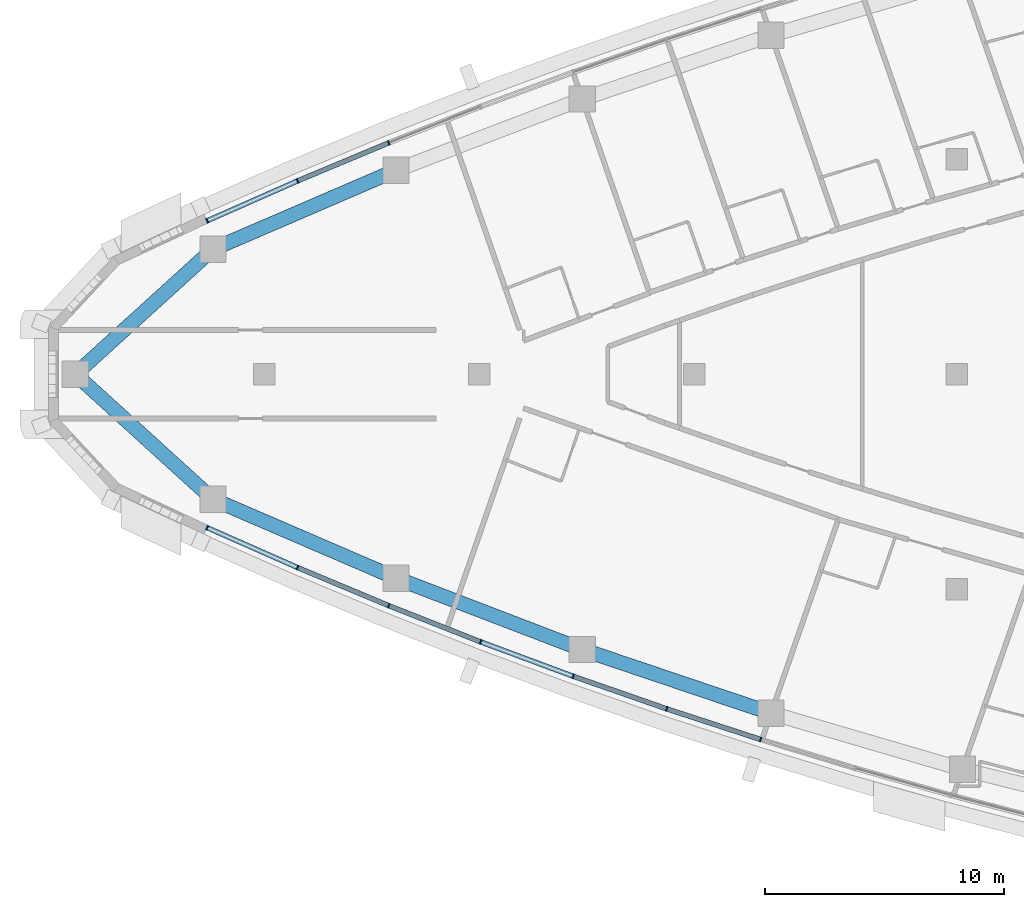
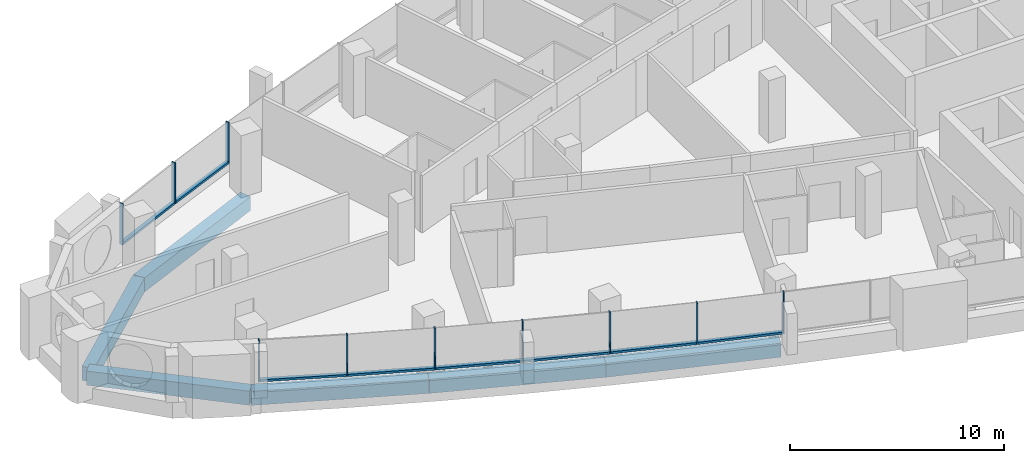
# One storey, part 2 of 14: 18 members, 6 beams, 5 elements without a shape of their own.
"""IFC4 building model written with IfcOpenShell, lengths in metres."""

from ifc_helpers import new_model, si_unit, direction, frame, origin, origin_2d, place, context, subcontext, project, spatial, rectangle, extrude, material, layer, layer_set, material_profile, profile_set, type_object, element, aggregate, save


model = new_model("IFC4")

# Units and contexts
model_context = context("Model", 3, precision=1e-05, world=origin(), true_north=direction((0.0, 1.0)))
body_context = subcontext(model_context, "Body", "Model", "MODEL_VIEW")
ifc_project = project(units=[si_unit("LENGTHUNIT", "METRE"), si_unit("AREAUNIT", "SQUARE_METRE"), si_unit("VOLUMEUNIT", "CUBIC_METRE"), si_unit("PLANEANGLEUNIT", "RADIAN"), si_unit("MASSUNIT", "GRAM", prefix="KILO")], contexts=[model_context])

# Site, building, storey
site_placement = place(None, origin())
site = spatial("IfcSite", under=ifc_project, at=site_placement, CompositionType="ELEMENT")
building_placement = place(site_placement, origin())
building = spatial("IfcBuilding", under=site, at=building_placement, Name="Ostrand Prow Hotel Tower", CompositionType="ELEMENT")
storey_placement = place(building_placement, frame((0.0, 0.0, 289.199951171875)))
storey = spatial("IfcBuildingStorey", under=building, at=storey_placement, Name="L73", CompositionType="ELEMENT", Elevation=289.199951171875)

# Beams
ifc_material_1 = material(Name="Concrete C50/60", Category="concrete")
ifc_material_profile_1 = material_profile(ifc_material_1, rectangle(XDim=0.60009765625, YDim=0.800048828125, at=origin_2d()), Name="RC 600x800")
ifc_profile_set_1 = profile_set([ifc_material_profile_1], Name="Concrete C50/60")
beam_type = type_object("IfcBeamType", Name="Edge beam 600x800 C50/60", PredefinedType="SPANDREL", material=ifc_profile_set_1)
beam_1_placement = place(storey_placement, frame((8.082763671875, 0.0, -0.699951171875), z_axis=(0.740124460758, -0.672469912032, 0.0), x_axis=(0.672469912032, 0.740124460758, 0.0)))
element("IfcBeam", 1, at=beam_1_placement, inside=storey, type_object=beam_type, Name="Edge beam P-S1", PredefinedType="SPANDREL", context=body_context, shape_type="SweptSolid", body=[
    extrude(rectangle(XDim=0.60009765625, YDim=0.800048828125, at=origin_2d()), origin(), (0.0, 0.0, 1.0), 7.787353515625),
])
for number, where, z_axis, x_axis, name in (
    (2, (13.846435546875, -5.23681640625, -0.699951171875), (0.918403788687, -0.39564438695, 0.0), (0.39564438695, 0.918403788687, 0.0), "Edge beam S1-S2"),
    (3, (21.51416015625, -8.5400390625, -0.699951171875), (0.933761753797, -0.357895218111, 0.0), (0.357895218111, 0.933761753797, 0.0), "Edge beam S2-S3"),
    (4, (29.31005859375, -11.528076171875, -0.699951171875), (0.947575089419, -0.319533174981, 0.0), (0.319533174981, 0.947575089419, 0.0), "Edge beam S3-S4"),
    (5, (21.51416015625, 8.5400390625, -0.699951171875), (-0.918403788687, -0.39564438695, 0.0), (0.39564438695, -0.918403788687, 0.0), "Edge beam N5-N6"),
):
    element("IfcBeam", number, at=place(storey_placement, frame(where, z_axis=z_axis, x_axis=x_axis)), inside=storey, type_object=beam_type, Name=name, PredefinedType="SPANDREL", context=body_context, shape_type="SweptSolid", body=[
        extrude(rectangle(XDim=0.60009765625, YDim=0.800048828125, at=origin_2d()), origin(), (0.0, 0.0, 1.0), 8.348876953125),
    ])
beam_2_placement = place(storey_placement, frame((13.846435546875, 5.23681640625, -0.699951171875), z_axis=(-0.740124460758, -0.672469912032, 0.0), x_axis=(0.672469912032, -0.740124460758, 0.0)))
element("IfcBeam", 6, at=beam_2_placement, inside=storey, type_object=beam_type, Name="Edge beam N6-P", PredefinedType="SPANDREL", context=body_context, shape_type="SweptSolid", body=[
    extrude(rectangle(XDim=0.60009765625, YDim=0.800048828125, at=origin_2d()), origin(), (0.0, 0.0, 1.0), 7.787353515625),
])

# Curtain wall, members
ifc_material_2 = material(Name="Insulated glass in bronze anodised frame", Category="glass")
ifc_layer = layer(ifc_material_2, 0.199951171875)
ifc_layer_set = layer_set([ifc_layer], Name="Insulated glass in bronze anodised frame")
curtain_wall_type = type_object("IfcCurtainWallType", Name="Strip curtain wall, fritted glass over bronze spandrel", PredefinedType="NOTDEFINED", material=ifc_layer_set)
curtain_wall_1_placement = place(storey_placement, origin())
curtain_wall_1 = element("IfcCurtainWall", 7, at=curtain_wall_1_placement, inside=storey, type_object=curtain_wall_type, Name="CW1 run CWS1", PredefinedType="NOTDEFINED")
ifc_material_3 = material(Name="Bronze anodised aluminium", Category="aluminium")
ifc_material_profile_2 = material_profile(ifc_material_3, rectangle(XDim=0.199951171875, YDim=0.06005859375, at=origin_2d()), Name="Mullion 60x200 bronze anodised aluminium")
ifc_profile_set_2 = profile_set([ifc_material_profile_2], Name="Bronze anodised aluminium")
member_type_1 = type_object("IfcMemberType", Name="Mullion 60x200 bronze anodised aluminium", PredefinedType="MULLION", material=ifc_profile_set_2)
member_1_placement = place(storey_placement, frame((13.60009765625, -6.423583984375, 0.900146484375), z_axis=(0.0, 0.0, 1.0), x_axis=(0.403939694592, 0.914785615941, 0.0)))
member_1 = element("IfcMember", 8, at=member_1_placement, type_object=member_type_1, Name="CW1 mullion 1", PredefinedType="MULLION", context=body_context, shape_type="SweptSolid", body=[
    extrude(rectangle(XDim=0.199951171875, YDim=0.06005859375, at=origin_2d()), origin(), (0.0, 0.0, 1.0), 2.349853515625),
])
member_2_placement = place(storey_placement, frame((17.386962890625, -8.095947265625, 0.900146484375), z_axis=(0.0, 0.0, 1.0), x_axis=(0.385471263659, 0.922719840955, 0.0)))
member_2 = element("IfcMember", 9, at=member_2_placement, type_object=member_type_1, Name="CW1 mullion 2", PredefinedType="MULLION", context=body_context, shape_type="SweptSolid", body=[
    extrude(rectangle(XDim=0.199951171875, YDim=0.06005859375, at=origin_2d()), origin(), (0.0, 0.0, 1.0), 2.349853515625),
])
member_3_placement = place(storey_placement, frame((21.206787109375, -9.691650390625, 0.900146484375), z_axis=(0.0, 0.0, 1.0), x_axis=(0.385471263659, 0.922719840955, 0.0)))
member_3 = element("IfcMember", 10, at=member_3_placement, type_object=member_type_1, Name="CW1 mullion 3", PredefinedType="MULLION", context=body_context, shape_type="SweptSolid", body=[
    extrude(rectangle(XDim=0.199951171875, YDim=0.06005859375, at=origin_2d()), origin(), (0.0, 0.0, 1.0), 2.349853515625),
])

curtain_wall_2_placement = place(storey_placement, origin())
curtain_wall_2 = element("IfcCurtainWall", 11, at=curtain_wall_2_placement, inside=storey, type_object=curtain_wall_type, Name="CW1 run CWS2", PredefinedType="NOTDEFINED")
member_4_placement = place(storey_placement, frame((25.05810546875, -11.210205078125, 0.900146484375), z_axis=(0.0, 0.0, 1.0), x_axis=(0.348071422738, 0.937468017947, 0.0)))
member_4 = element("IfcMember", 12, at=member_4_placement, type_object=member_type_1, Name="CW1 mullion 2", PredefinedType="MULLION", context=body_context, shape_type="SweptSolid", body=[
    extrude(rectangle(XDim=0.199951171875, YDim=0.06005859375, at=origin_2d()), origin(), (0.0, 0.0, 1.0), 2.349853515625),
])
member_5_placement = place(storey_placement, frame((28.93896484375, -12.6513671875, 0.900146484375), z_axis=(0.0, 0.0, 1.0), x_axis=(0.348071422738, 0.937468017947, 0.0)))
member_5 = element("IfcMember", 13, at=member_5_placement, type_object=member_type_1, Name="CW1 mullion 3", PredefinedType="MULLION", context=body_context, shape_type="SweptSolid", body=[
    extrude(rectangle(XDim=0.199951171875, YDim=0.06005859375, at=origin_2d()), origin(), (0.0, 0.0, 1.0), 2.349853515625),
])

curtain_wall_3_placement = place(storey_placement, origin())
curtain_wall_3 = element("IfcCurtainWall", 14, at=curtain_wall_3_placement, inside=storey, type_object=curtain_wall_type, Name="CW1 run CWS3", PredefinedType="NOTDEFINED")
member_6_placement = place(storey_placement, frame((32.84814453125, -14.013916015625, 0.900146484375), z_axis=(0.0, 0.0, 1.0), x_axis=(0.310110668289, 0.950700464612, 0.0)))
member_6 = element("IfcMember", 15, at=member_6_placement, type_object=member_type_1, Name="CW1 mullion 2", PredefinedType="MULLION", context=body_context, shape_type="SweptSolid", body=[
    extrude(rectangle(XDim=0.199951171875, YDim=0.06005859375, at=origin_2d()), origin(), (0.0, 0.0, 1.0), 2.349853515625),
])
member_7_placement = place(storey_placement, frame((36.78369140625, -15.297607421875, 0.900146484375), z_axis=(0.0, 0.0, 1.0), x_axis=(0.310110668289, 0.950700464612, 0.0)))
member_7 = element("IfcMember", 16, at=member_7_placement, type_object=member_type_1, Name="CW1 mullion 3", PredefinedType="MULLION", context=body_context, shape_type="SweptSolid", body=[
    extrude(rectangle(XDim=0.199951171875, YDim=0.06005859375, at=origin_2d()), origin(), (0.0, 0.0, 1.0), 2.349853515625),
])

# Curtain wall, member
curtain_wall_4_placement = place(storey_placement, origin())
curtain_wall_4 = element("IfcCurtainWall", 17, at=curtain_wall_4_placement, inside=storey, type_object=curtain_wall_type, Name="CW1 run CWN4", PredefinedType="NOTDEFINED")
member_8_placement = place(storey_placement, frame((21.206787109375, 9.691650390625, 0.900146484375), z_axis=(0.0, 0.0, 1.0), x_axis=(0.366845465248, -0.930281895249, 0.0)))
member_8 = element("IfcMember", 18, at=member_8_placement, type_object=member_type_1, Name="CW1 mullion 3", PredefinedType="MULLION", context=body_context, shape_type="SweptSolid", body=[
    extrude(rectangle(XDim=0.199951171875, YDim=0.06005859375, at=origin_2d()), origin(), (0.0, 0.0, 1.0), 2.349853515625),
])
aggregate(curtain_wall_4, [member_8])

# Curtain wall, members
curtain_wall_5_placement = place(storey_placement, origin())
curtain_wall_5 = element("IfcCurtainWall", 19, at=curtain_wall_5_placement, inside=storey, type_object=curtain_wall_type, Name="CW1 run CWN5", PredefinedType="NOTDEFINED")
member_9_placement = place(storey_placement, frame((17.386962890625, 8.095947265625, 0.900146484375), z_axis=(0.0, 0.0, 1.0), x_axis=(0.403939694592, -0.914785615941, 0.0)))
member_9 = element("IfcMember", 20, at=member_9_placement, type_object=member_type_1, Name="CW1 mullion 2", PredefinedType="MULLION", context=body_context, shape_type="SweptSolid", body=[
    extrude(rectangle(XDim=0.199951171875, YDim=0.06005859375, at=origin_2d()), origin(), (0.0, 0.0, 1.0), 2.349853515625),
])
member_10_placement = place(storey_placement, frame((13.60009765625, 6.423583984375, 0.900146484375), z_axis=(0.0, 0.0, 1.0), x_axis=(0.403939694592, -0.914785615941, 0.0)))
member_10 = element("IfcMember", 21, at=member_10_placement, type_object=member_type_1, Name="CW1 mullion 3", PredefinedType="MULLION", context=body_context, shape_type="SweptSolid", body=[
    extrude(rectangle(XDim=0.199951171875, YDim=0.06005859375, at=origin_2d()), origin(), (0.0, 0.0, 1.0), 2.349853515625),
])

# Member
ifc_material_4 = material(Name="Bronze anodised aluminium", Category="aluminium")
ifc_material_profile_3 = material_profile(ifc_material_4, rectangle(XDim=0.199951171875, YDim=0.1201171875, at=origin_2d()), Name="Transom 120x200 bronze anodised aluminium")
ifc_profile_set_3 = profile_set([ifc_material_profile_3], Name="Bronze anodised aluminium")
member_type_2 = type_object("IfcMemberType", Name="Transom 120x200 bronze anodised aluminium", PredefinedType="USERDEFINED", material=ifc_profile_set_3)
member_11_placement = place(storey_placement, frame((13.62744140625, -6.435791015625, 0.9599609375), z_axis=(0.914791011182, -0.403927475991, 0.0), x_axis=(0.403927475991, 0.914791011182, 0.0)))
member_11 = element("IfcMember", 22, at=member_11_placement, type_object=member_type_2, Name="CW1 transom 1.1", ObjectType="TRANSOM", PredefinedType="USERDEFINED", context=body_context, shape_type="SweptSolid", body=[
    extrude(rectangle(XDim=0.199951171875, YDim=0.1201171875, at=origin_2d()), origin(), (0.0, 0.0, 1.0), 4.079833984375),
])

member_12_placement = place(storey_placement, frame((17.414794921875, -8.107421875, 0.9599609375), z_axis=(0.922706465875, -0.385503278628, 0.0), x_axis=(0.385503278628, 0.922706465875, 0.0)))
member_12 = element("IfcMember", 23, at=member_12_placement, type_object=member_type_2, Name="CW1 transom 2.1", ObjectType="TRANSOM", PredefinedType="USERDEFINED", context=body_context, shape_type="SweptSolid", body=[
    extrude(rectangle(XDim=0.199951171875, YDim=0.1201171875, at=origin_2d()), origin(), (0.0, 0.0, 1.0), 4.079833984375),
])

aggregate(curtain_wall_1, [member_1, member_2, member_3, member_11, member_12])

member_13_placement = place(storey_placement, frame((21.23486328125, -9.70263671875, 0.9599609375), z_axis=(0.930289613186, -0.366825892759, 0.0), x_axis=(0.366825892759, 0.930289613186, 0.0)))
member_13 = element("IfcMember", 24, at=member_13_placement, type_object=member_type_2, Name="CW1 transom 1.1", ObjectType="TRANSOM", PredefinedType="USERDEFINED", context=body_context, shape_type="SweptSolid", body=[
    extrude(rectangle(XDim=0.199951171875, YDim=0.1201171875, at=origin_2d()), origin(), (0.0, 0.0, 1.0), 4.079833984375),
])

member_14_placement = place(storey_placement, frame((25.086181640625, -11.220703125, 0.9599609375), z_axis=(0.937460424566, -0.348091873465, 0.0), x_axis=(0.348091873465, 0.937460424566, 0.0)))
member_14 = element("IfcMember", 25, at=member_14_placement, type_object=member_type_2, Name="CW1 transom 2.1", ObjectType="TRANSOM", PredefinedType="USERDEFINED", context=body_context, shape_type="SweptSolid", body=[
    extrude(rectangle(XDim=0.199951171875, YDim=0.1201171875, at=origin_2d()), origin(), (0.0, 0.0, 1.0), 4.079833984375),
])

aggregate(curtain_wall_2, [member_4, member_5, member_13, member_14])

member_15_placement = place(storey_placement, frame((28.96728515625, -12.6611328125, 0.9599609375), z_axis=(0.944268108385, -0.329177367822, 0.0), x_axis=(0.329177367822, 0.944268108385, 0.0)))
member_15 = element("IfcMember", 26, at=member_15_placement, type_object=member_type_2, Name="CW1 transom 1.1", ObjectType="TRANSOM", PredefinedType="USERDEFINED", context=body_context, shape_type="SweptSolid", body=[
    extrude(rectangle(XDim=0.199951171875, YDim=0.1201171875, at=origin_2d()), origin(), (0.0, 0.0, 1.0), 4.079833984375),
])

member_16_placement = place(storey_placement, frame((32.876708984375, -14.023193359375, 0.9599609375), z_axis=(0.950704145978, -0.310099382165, 0.0), x_axis=(0.310099382165, 0.950704145978, 0.0)))
member_16 = element("IfcMember", 27, at=member_16_placement, type_object=member_type_2, Name="CW1 transom 2.1", ObjectType="TRANSOM", PredefinedType="USERDEFINED", context=body_context, shape_type="SweptSolid", body=[
    extrude(rectangle(XDim=0.199951171875, YDim=0.1201171875, at=origin_2d()), origin(), (0.0, 0.0, 1.0), 4.079833984375),
])

aggregate(curtain_wall_3, [member_6, member_7, member_15, member_16])

member_17_placement = place(storey_placement, frame((21.17919921875, 9.68017578125, 0.9599609375), z_axis=(-0.922706465875, -0.385503278628, 0.0), x_axis=(0.385503278628, -0.922706465875, 0.0)))
member_17 = element("IfcMember", 28, at=member_17_placement, type_object=member_type_2, Name="CW1 transom 1.1", ObjectType="TRANSOM", PredefinedType="USERDEFINED", context=body_context, shape_type="SweptSolid", body=[
    extrude(rectangle(XDim=0.199951171875, YDim=0.1201171875, at=origin_2d()), origin(), (0.0, 0.0, 1.0), 4.079833984375),
])

member_18_placement = place(storey_placement, frame((17.359619140625, 8.083740234375, 0.9599609375), z_axis=(-0.914791011182, -0.403927475991, 0.0), x_axis=(0.403927475991, -0.914791011182, 0.0)))
member_18 = element("IfcMember", 29, at=member_18_placement, type_object=member_type_2, Name="CW1 transom 2.1", ObjectType="TRANSOM", PredefinedType="USERDEFINED", context=body_context, shape_type="SweptSolid", body=[
    extrude(rectangle(XDim=0.199951171875, YDim=0.1201171875, at=origin_2d()), origin(), (0.0, 0.0, 1.0), 4.079833984375),
])

aggregate(curtain_wall_5, [member_9, member_10, member_17, member_18])

save(model, "model.ifc")
